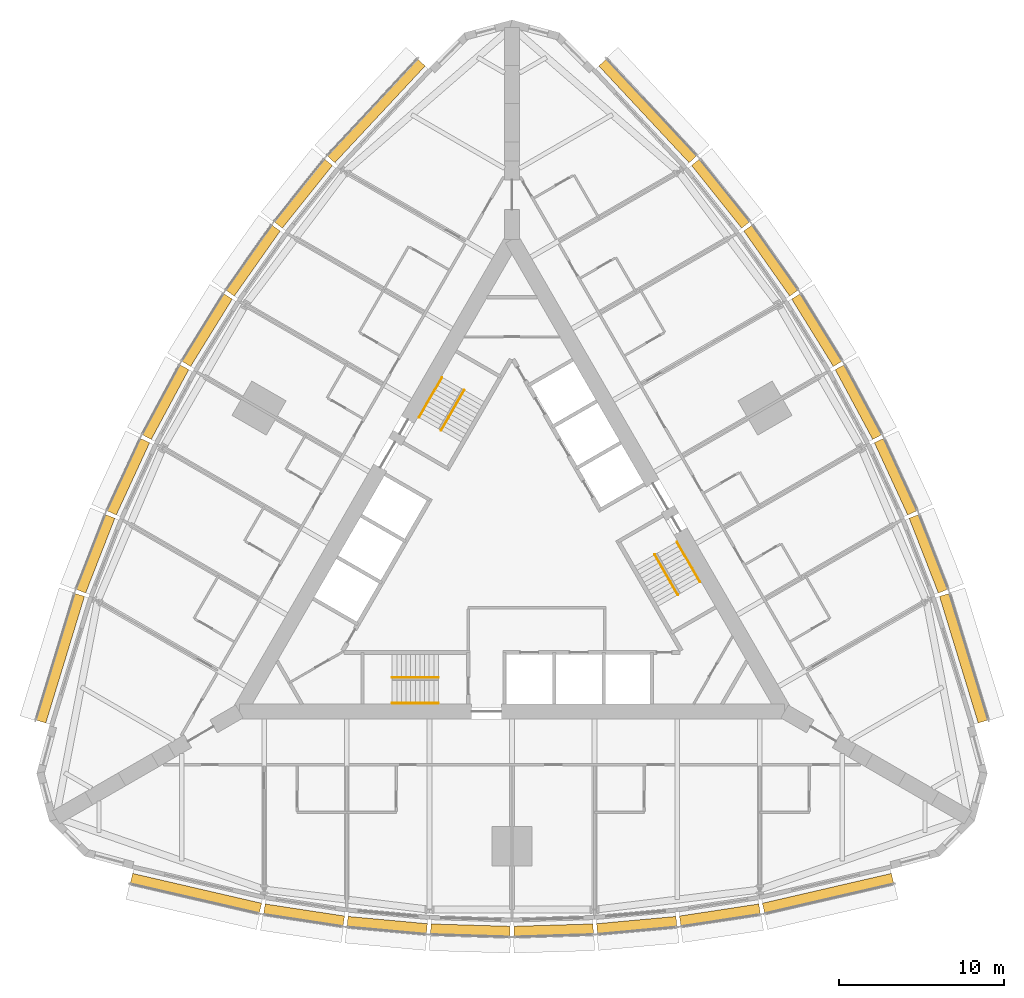
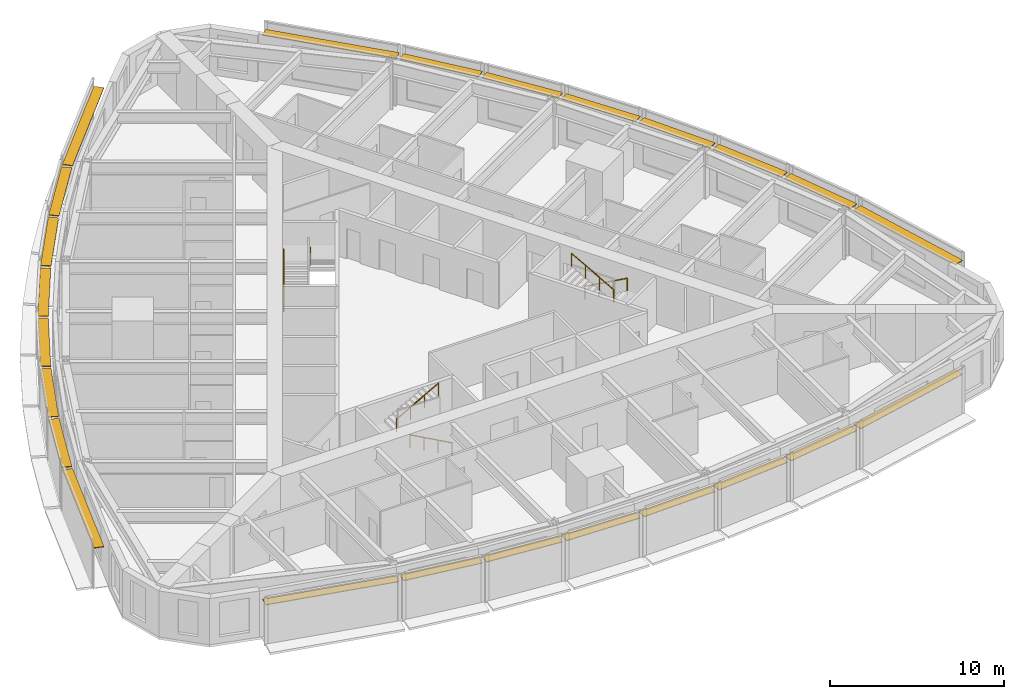
# One storey, part 14 of 14: 24 shading devices, 6 railings.
"""IFC4 building model written with IfcOpenShell, lengths in metres."""

from ifc_helpers import new_model, si_unit, direction, frame, origin, origin_2d, place, context, subcontext, project, spatial, rectangle, circle, extrude, material, type_object, element, save


model = new_model("IFC4")

# Units and contexts
model_context = context("Model", 3, precision=1e-05, world=origin(), true_north=direction((0.0, 1.0)))
body_context = subcontext(model_context, "Body", "Model", "MODEL_VIEW")
ifc_project = project(units=[si_unit("LENGTHUNIT", "METRE"), si_unit("AREAUNIT", "SQUARE_METRE"), si_unit("VOLUMEUNIT", "CUBIC_METRE"), si_unit("PLANEANGLEUNIT", "RADIAN"), si_unit("MASSUNIT", "GRAM", prefix="KILO")], contexts=[model_context])

# Site, building, storey
site_placement = place(None, origin())
site = spatial("IfcSite", under=ifc_project, at=site_placement, CompositionType="ELEMENT")
building_placement = place(site_placement, origin())
building = spatial("IfcBuilding", under=site, at=building_placement, Name="Trikona Tower", CompositionType="ELEMENT")
storey_placement = place(building_placement, frame((0.0, 0.0, 55.699951171875)))
storey = spatial("IfcBuildingStorey", under=building, at=storey_placement, Name="L13", CompositionType="ELEMENT", Elevation=55.699951171875)

# Shading devices
ifc_material_1 = material(Name="Aluminium louvre blade, pale anodised", Category="aluminium")
shading_device_type = type_object("IfcShadingDeviceType", Name="Cavity louvre 600", PredefinedType="USERDEFINED", material=ifc_material_1)
shading_device_1_placement = place(storey_placement, frame((-19.126220703125, -20.5234375, 2.77490234375), z_axis=(0.0, 0.0, 1.0), x_axis=(0.974277718622, -0.225350675607, 0.0)))
element("IfcShadingDevice", 1, at=shading_device_1_placement, inside=storey, type_object=shading_device_type, Name="Cavity louvre L13-00", ObjectType="LOUVRE", PredefinedType="USERDEFINED", context=body_context, shape_type="SweptSolid", body=[
    extrude(rectangle(XDim=8.01123046875, YDim=0.60009765625, at=origin_2d()), origin(), (0.0, 0.0, 1.0), 0.050048828125),
])
shading_device_2_placement = place(storey_placement, frame((-12.584228515625, -21.837158203125, 2.77490234375), z_axis=(0.0, 0.0, 1.0), x_axis=(0.988617896768, -0.150448177754, 0.0)))
element("IfcShadingDevice", 2, at=shading_device_2_placement, inside=storey, type_object=shading_device_type, Name="Cavity louvre L13-01", ObjectType="LOUVRE", PredefinedType="USERDEFINED", context=body_context, shape_type="SweptSolid", body=[
    extrude(rectangle(XDim=4.857666015625, YDim=0.60009765625, at=origin_2d()), origin(), (0.0, 0.0, 1.0), 0.050048828125),
])
shading_device_3_placement = place(storey_placement, frame((-7.55078125, -22.44970703125, 2.77490234375), z_axis=(0.0, 0.0, 1.0), x_axis=(0.995858098326, -0.090921108655, 0.0)))
element("IfcShadingDevice", 3, at=shading_device_3_placement, inside=storey, type_object=shading_device_type, Name="Cavity louvre L13-02", ObjectType="LOUVRE", PredefinedType="USERDEFINED", context=body_context, shape_type="SweptSolid", body=[
    extrude(rectangle(XDim=4.82080078125, YDim=0.60009765625, at=origin_2d()), origin(), (0.0, 0.0, 1.0), 0.050048828125),
])
for number, where, z_axis, x_axis, name in (
    (4, (-2.51708984375, -22.756103515625, 2.77490234375), (0.0, 0.0, 1.0), (0.999537048889, -0.030425119525, 0.0), "Cavity louvre L13-03"),
    (5, (2.51708984375, -22.756103515625, 2.77490234375), (0.0, 0.0, 1.0), (0.999537048889, 0.030425119525, 0.0), "Cavity louvre L13-04"),
):
    element("IfcShadingDevice", number, at=place(storey_placement, frame(where, z_axis=z_axis, x_axis=x_axis)), inside=storey, type_object=shading_device_type, Name=name, ObjectType="LOUVRE", PredefinedType="USERDEFINED", context=body_context, shape_type="SweptSolid", body=[
        extrude(rectangle(XDim=4.80224609375, YDim=0.60009765625, at=origin_2d()), origin(), (0.0, 0.0, 1.0), 0.050048828125),
    ])
shading_device_4_placement = place(storey_placement, frame((7.55078125, -22.44970703125, 2.77490234375), z_axis=(0.0, 0.0, 1.0), x_axis=(0.995858098326, 0.090921108655, 0.0)))
element("IfcShadingDevice", 6, at=shading_device_4_placement, inside=storey, type_object=shading_device_type, Name="Cavity louvre L13-05", ObjectType="LOUVRE", PredefinedType="USERDEFINED", context=body_context, shape_type="SweptSolid", body=[
    extrude(rectangle(XDim=4.82080078125, YDim=0.60009765625, at=origin_2d()), origin(), (0.0, 0.0, 1.0), 0.050048828125),
])
shading_device_5_placement = place(storey_placement, frame((12.584228515625, -21.837158203125, 2.77490234375), z_axis=(0.0, 0.0, 1.0), x_axis=(0.988617896768, 0.150448177754, 0.0)))
element("IfcShadingDevice", 7, at=shading_device_5_placement, inside=storey, type_object=shading_device_type, Name="Cavity louvre L13-06", ObjectType="LOUVRE", PredefinedType="USERDEFINED", context=body_context, shape_type="SweptSolid", body=[
    extrude(rectangle(XDim=4.857666015625, YDim=0.60009765625, at=origin_2d()), origin(), (0.0, 0.0, 1.0), 0.050048828125),
])
for number, where, z_axis, x_axis, name in (
    (8, (19.126220703125, -20.5234375, 2.77490234375), (0.0, 0.0, 1.0), (0.974277718622, 0.225350675607, 0.0), "Cavity louvre L13-07"),
    (9, (27.3369140625, -6.302001953125, 2.77490234375), (0.0, 0.0, 1.0), (-0.291979449475, 0.956424592471, 0.0), "Cavity louvre L13-12"),
):
    element("IfcShadingDevice", number, at=place(storey_placement, frame(where, z_axis=z_axis, x_axis=x_axis)), inside=storey, type_object=shading_device_type, Name=name, ObjectType="LOUVRE", PredefinedType="USERDEFINED", context=body_context, shape_type="SweptSolid", body=[
        extrude(rectangle(XDim=8.01123046875, YDim=0.60009765625, at=origin_2d()), origin(), (0.0, 0.0, 1.0), 0.050048828125),
    ])
shading_device_6_placement = place(storey_placement, frame((25.20361328125, 0.020263671875, 2.77490234375), z_axis=(0.0, 0.0, 1.0), x_axis=(-0.364008876551, 0.931395478726, 0.0)))
element("IfcShadingDevice", 10, at=shading_device_6_placement, inside=storey, type_object=shading_device_type, Name="Cavity louvre L13-13", ObjectType="LOUVRE", PredefinedType="USERDEFINED", context=body_context, shape_type="SweptSolid", body=[
    extrude(rectangle(XDim=4.857666015625, YDim=0.60009765625, at=origin_2d()), origin(), (0.0, 0.0, 1.0), 0.050048828125),
])
shading_device_7_placement = place(storey_placement, frame((23.217529296875, 4.685546875, 2.77490234375), z_axis=(0.0, 0.0, 1.0), x_axis=(-0.41919381307, 0.907896771161, 0.0)))
element("IfcShadingDevice", 11, at=shading_device_7_placement, inside=storey, type_object=shading_device_type, Name="Cavity louvre L13-14", ObjectType="LOUVRE", PredefinedType="USERDEFINED", context=body_context, shape_type="SweptSolid", body=[
    extrude(rectangle(XDim=4.82080078125, YDim=0.60009765625, at=origin_2d()), origin(), (0.0, 0.0, 1.0), 0.050048828125),
])
for number, where, z_axis, x_axis, name in (
    (12, (20.966064453125, 9.1982421875, 2.77490234375), (0.0, 0.0, 1.0), (-0.473422672721, 0.880835383572, 0.0), "Cavity louvre L13-15"),
    (13, (18.448974609375, 13.557861328125, 2.77490234375), (0.0, 0.0, 1.0), (-0.526118935114, 0.85041099835, 0.0), "Cavity louvre L13-16"),
):
    element("IfcShadingDevice", number, at=place(storey_placement, frame(where, z_axis=z_axis, x_axis=x_axis)), inside=storey, type_object=shading_device_type, Name=name, ObjectType="LOUVRE", PredefinedType="USERDEFINED", context=body_context, shape_type="SweptSolid", body=[
        extrude(rectangle(XDim=4.80224609375, YDim=0.60009765625, at=origin_2d()), origin(), (0.0, 0.0, 1.0), 0.050048828125),
    ])
shading_device_8_placement = place(storey_placement, frame((15.666748046875, 17.76416015625, 2.77490234375), z_axis=(0.0, 0.0, 1.0), x_axis=(-0.576661909499, 0.816982889743, 0.0)))
element("IfcShadingDevice", 14, at=shading_device_8_placement, inside=storey, type_object=shading_device_type, Name="Cavity louvre L13-17", ObjectType="LOUVRE", PredefinedType="USERDEFINED", context=body_context, shape_type="SweptSolid", body=[
    extrude(rectangle(XDim=4.82080078125, YDim=0.60009765625, at=origin_2d()), origin(), (0.0, 0.0, 1.0), 0.050048828125),
])
shading_device_9_placement = place(storey_placement, frame((12.619384765625, 21.81689453125, 2.77490234375), z_axis=(0.0, 0.0, 1.0), x_axis=(-0.624603618277, 0.780941944087, 0.0)))
element("IfcShadingDevice", 15, at=shading_device_9_placement, inside=storey, type_object=shading_device_type, Name="Cavity louvre L13-18", ObjectType="LOUVRE", PredefinedType="USERDEFINED", context=body_context, shape_type="SweptSolid", body=[
    extrude(rectangle(XDim=4.857666015625, YDim=0.60009765625, at=origin_2d()), origin(), (0.0, 0.0, 1.0), 0.050048828125),
])
for number, where, z_axis, x_axis, name in (
    (16, (8.210693359375, 26.825439453125, 2.77490234375), (0.0, 0.0, 1.0), (-0.682298269147, 0.731073916864, 0.0), "Cavity louvre L13-19"),
    (17, (-8.210693359375, 26.825439453125, 2.77490234375), (0.0, 0.0, 1.0), (-0.682298269147, -0.731073916864, 0.0), "Cavity louvre L13-24"),
):
    element("IfcShadingDevice", number, at=place(storey_placement, frame(where, z_axis=z_axis, x_axis=x_axis)), inside=storey, type_object=shading_device_type, Name=name, ObjectType="LOUVRE", PredefinedType="USERDEFINED", context=body_context, shape_type="SweptSolid", body=[
        extrude(rectangle(XDim=8.01123046875, YDim=0.60009765625, at=origin_2d()), origin(), (0.0, 0.0, 1.0), 0.050048828125),
    ])
shading_device_10_placement = place(storey_placement, frame((-12.619384765625, 21.81689453125, 2.77490234375), z_axis=(0.0, 0.0, 1.0), x_axis=(-0.624603618277, -0.780941944087, 0.0)))
element("IfcShadingDevice", 18, at=shading_device_10_placement, inside=storey, type_object=shading_device_type, Name="Cavity louvre L13-25", ObjectType="LOUVRE", PredefinedType="USERDEFINED", context=body_context, shape_type="SweptSolid", body=[
    extrude(rectangle(XDim=4.857666015625, YDim=0.60009765625, at=origin_2d()), origin(), (0.0, 0.0, 1.0), 0.050048828125),
])
shading_device_11_placement = place(storey_placement, frame((-15.666748046875, 17.76416015625, 2.77490234375), z_axis=(0.0, 0.0, 1.0), x_axis=(-0.576661909499, -0.816982889743, 0.0)))
element("IfcShadingDevice", 19, at=shading_device_11_placement, inside=storey, type_object=shading_device_type, Name="Cavity louvre L13-26", ObjectType="LOUVRE", PredefinedType="USERDEFINED", context=body_context, shape_type="SweptSolid", body=[
    extrude(rectangle(XDim=4.82080078125, YDim=0.60009765625, at=origin_2d()), origin(), (0.0, 0.0, 1.0), 0.050048828125),
])
for number, where, z_axis, x_axis, name in (
    (20, (-18.448974609375, 13.557861328125, 2.77490234375), (0.0, 0.0, 1.0), (-0.526118935114, -0.85041099835, 0.0), "Cavity louvre L13-27"),
    (21, (-20.966064453125, 9.1982421875, 2.77490234375), (0.0, 0.0, 1.0), (-0.473422672721, -0.880835383572, 0.0), "Cavity louvre L13-28"),
):
    element("IfcShadingDevice", number, at=place(storey_placement, frame(where, z_axis=z_axis, x_axis=x_axis)), inside=storey, type_object=shading_device_type, Name=name, ObjectType="LOUVRE", PredefinedType="USERDEFINED", context=body_context, shape_type="SweptSolid", body=[
        extrude(rectangle(XDim=4.80224609375, YDim=0.60009765625, at=origin_2d()), origin(), (0.0, 0.0, 1.0), 0.050048828125),
    ])
shading_device_12_placement = place(storey_placement, frame((-23.217529296875, 4.685546875, 2.77490234375), z_axis=(0.0, 0.0, 1.0), x_axis=(-0.41919381307, -0.907896771161, 0.0)))
element("IfcShadingDevice", 22, at=shading_device_12_placement, inside=storey, type_object=shading_device_type, Name="Cavity louvre L13-29", ObjectType="LOUVRE", PredefinedType="USERDEFINED", context=body_context, shape_type="SweptSolid", body=[
    extrude(rectangle(XDim=4.82080078125, YDim=0.60009765625, at=origin_2d()), origin(), (0.0, 0.0, 1.0), 0.050048828125),
])
shading_device_13_placement = place(storey_placement, frame((-25.20361328125, 0.020263671875, 2.77490234375), z_axis=(0.0, 0.0, 1.0), x_axis=(-0.364008876551, -0.931395478726, 0.0)))
element("IfcShadingDevice", 23, at=shading_device_13_placement, inside=storey, type_object=shading_device_type, Name="Cavity louvre L13-30", ObjectType="LOUVRE", PredefinedType="USERDEFINED", context=body_context, shape_type="SweptSolid", body=[
    extrude(rectangle(XDim=4.857666015625, YDim=0.60009765625, at=origin_2d()), origin(), (0.0, 0.0, 1.0), 0.050048828125),
])
shading_device_14_placement = place(storey_placement, frame((-27.3369140625, -6.302001953125, 2.77490234375), z_axis=(0.0, 0.0, 1.0), x_axis=(-0.291979449475, -0.956424592471, 0.0)))
element("IfcShadingDevice", 24, at=shading_device_14_placement, inside=storey, type_object=shading_device_type, Name="Cavity louvre L13-31", ObjectType="LOUVRE", PredefinedType="USERDEFINED", context=body_context, shape_type="SweptSolid", body=[
    extrude(rectangle(XDim=8.01123046875, YDim=0.60009765625, at=origin_2d()), origin(), (0.0, 0.0, 1.0), 0.050048828125),
])

# Railings
ifc_material_2 = material(Name="Stainless steel handrail", Category="steel")
railing_type = type_object("IfcRailingType", Name="Stair handrail", PredefinedType="HANDRAIL", material=ifc_material_2)
railing_1_placement = place(storey_placement, frame((-4.449951171875, -9.016357421875, 0.154541015625)))
element("IfcRailing", 25, at=railing_1_placement, inside=storey, type_object=railing_type, Name="Stair handrail A L13 1", PredefinedType="HANDRAIL", context=body_context, shape_type="SweptSolid", body=[
    extrude(circle(Radius=0.02392578125, at=origin_2d()), frame((0.0, 0.0, 0.8759765625), z_axis=(-0.875504190374, 0.0, 0.483210526207), x_axis=(0.0, -1.0, 0.0)), (0.0, 0.0, 1.0), 3.1982421875),
    extrude(circle(Radius=0.02099609375, at=origin_2d()), origin(), (0.0, 0.0, 1.0), 0.851806640625),
    extrude(circle(Radius=0.02099609375, at=origin_2d()), frame((-0.933349609375, 0.0, 0.51513671875)), (0.0, 0.0, 1.0), 0.851806640625),
    extrude(circle(Radius=0.02099609375, at=origin_2d()), frame((-1.86669921875, 0.0, 1.0302734375)), (0.0, 0.0, 1.0), 0.851806640625),
    extrude(circle(Radius=0.02099609375, at=origin_2d()), frame((-2.800048828125, 0.0, 1.54541015625)), (0.0, 0.0, 1.0), 0.851806640625),
])
railing_2_placement = place(storey_placement, frame((-7.25, -7.46630859375, 1.8544921875)))
element("IfcRailing", 26, at=railing_2_placement, inside=storey, type_object=railing_type, Name="Stair handrail A L13 2", PredefinedType="HANDRAIL", context=body_context, shape_type="SweptSolid", body=[
    extrude(circle(Radius=0.02392578125, at=origin_2d()), frame((0.0, 0.0, 0.8759765625), z_axis=(0.875471895205, 0.0, 0.483269035534), x_axis=(0.0, 1.0, 0.0)), (0.0, 0.0, 1.0), 3.1982421875),
    extrude(circle(Radius=0.02099609375, at=origin_2d()), origin(), (0.0, 0.0, 1.0), 0.851806640625),
    extrude(circle(Radius=0.02099609375, at=origin_2d()), frame((0.933349609375, 0.0, 0.51513671875)), (0.0, 0.0, 1.0), 0.851806640625),
    extrude(circle(Radius=0.02099609375, at=origin_2d()), frame((1.86669921875, 0.0, 1.030517578125)), (0.0, 0.0, 1.0), 0.851806640625),
    extrude(circle(Radius=0.02099609375, at=origin_2d()), frame((2.800048828125, 0.0, 1.545654296875)), (0.0, 0.0, 1.0), 0.851806640625),
])
railing_3_placement = place(storey_placement, frame((9.9833984375, 0.740966796875, 0.154541015625)))
element("IfcRailing", 27, at=railing_3_placement, inside=storey, type_object=railing_type, Name="Stair handrail B L13 1", PredefinedType="HANDRAIL", context=body_context, shape_type="SweptSolid", body=[
    extrude(circle(Radius=0.02392578125, at=origin_2d()), frame((0.0, 0.0, 0.8759765625), z_axis=(0.437707188162, -0.758239536103, 0.483203087036), x_axis=(0.866056369097, 0.49994636267, 0.0)), (0.0, 0.0, 1.0), 3.1982421875),
    extrude(circle(Radius=0.02099609375, at=origin_2d()), origin(), (0.0, 0.0, 1.0), 0.851806640625),
    extrude(circle(Radius=0.02099609375, at=origin_2d()), frame((0.466552734375, -0.808349609375, 0.51513671875)), (0.0, 0.0, 1.0), 0.851806640625),
    extrude(circle(Radius=0.02099609375, at=origin_2d()), frame((0.933349609375, -1.61669921875, 1.0302734375)), (0.0, 0.0, 1.0), 0.851806640625),
    extrude(circle(Radius=0.02099609375, at=origin_2d()), frame((1.39990234375, -2.425048828125, 1.54541015625)), (0.0, 0.0, 1.0), 0.851806640625),
])
railing_4_placement = place(storey_placement, frame((10.041015625, -2.458984375, 1.8544921875)))
element("IfcRailing", 28, at=railing_4_placement, inside=storey, type_object=railing_type, Name="Stair handrail B L13 2", PredefinedType="HANDRAIL", context=body_context, shape_type="SweptSolid", body=[
    extrude(circle(Radius=0.02392578125, at=origin_2d()), frame((0.0, 0.0, 0.8759765625), z_axis=(-0.437691042731, 0.758211567396, 0.483261596012), x_axis=(-0.866056369097, -0.49994636267, 0.0)), (0.0, 0.0, 1.0), 3.198486328125),
    extrude(circle(Radius=0.02099609375, at=origin_2d()), origin(), (0.0, 0.0, 1.0), 0.851806640625),
    extrude(circle(Radius=0.02099609375, at=origin_2d()), frame((-0.466552734375, 0.808349609375, 0.51513671875)), (0.0, 0.0, 1.0), 0.851806640625),
    extrude(circle(Radius=0.02099609375, at=origin_2d()), frame((-0.933349609375, 1.61669921875, 1.030517578125)), (0.0, 0.0, 1.0), 0.851806640625),
    extrude(circle(Radius=0.02099609375, at=origin_2d()), frame((-1.39990234375, 2.425048828125, 1.545654296875)), (0.0, 0.0, 1.0), 0.851806640625),
])
railing_5_placement = place(storey_placement, frame((-5.63330078125, 8.275390625, 0.154541015625)))
element("IfcRailing", 29, at=railing_5_placement, inside=storey, type_object=railing_type, Name="Stair handrail C L13 1", PredefinedType="HANDRAIL", context=body_context, shape_type="SweptSolid", body=[
    extrude(circle(Radius=0.02392578125, at=origin_2d()), frame((0.0, 0.0, 0.8759765625), z_axis=(0.437732523806, 0.758207085183, 0.483231056102), x_axis=(-0.866034573852, 0.49998411664, 0.0)), (0.0, 0.0, 1.0), 3.197998046875),
    extrude(circle(Radius=0.02099609375, at=origin_2d()), origin(), (0.0, 0.0, 1.0), 0.851806640625),
    extrude(circle(Radius=0.02099609375, at=origin_2d()), frame((0.466552734375, 0.808349609375, 0.51513671875)), (0.0, 0.0, 1.0), 0.851806640625),
    extrude(circle(Radius=0.02099609375, at=origin_2d()), frame((0.933349609375, 1.616455078125, 1.0302734375)), (0.0, 0.0, 1.0), 0.851806640625),
    extrude(circle(Radius=0.02099609375, at=origin_2d()), frame((1.39990234375, 2.4248046875, 1.54541015625)), (0.0, 0.0, 1.0), 0.851806640625),
])
railing_6_placement = place(storey_placement, frame((-2.89111328125, 9.92529296875, 1.8544921875)))
element("IfcRailing", 30, at=railing_6_placement, inside=storey, type_object=railing_type, Name="Stair handrail C L13 2", PredefinedType="HANDRAIL", context=body_context, shape_type="SweptSolid", body=[
    extrude(circle(Radius=0.02392578125, at=origin_2d()), frame((0.0, 0.0, 0.8759765625), z_axis=(-0.437691042731, -0.758211567396, 0.483261596012), x_axis=(0.866056369097, -0.49994636267, 0.0)), (0.0, 0.0, 1.0), 3.198486328125),
    extrude(circle(Radius=0.02099609375, at=origin_2d()), origin(), (0.0, 0.0, 1.0), 0.851806640625),
    extrude(circle(Radius=0.02099609375, at=origin_2d()), frame((-0.466552734375, -0.808349609375, 0.51513671875)), (0.0, 0.0, 1.0), 0.851806640625),
    extrude(circle(Radius=0.02099609375, at=origin_2d()), frame((-0.933349609375, -1.61669921875, 1.030517578125)), (0.0, 0.0, 1.0), 0.851806640625),
    extrude(circle(Radius=0.02099609375, at=origin_2d()), frame((-1.39990234375, -2.425048828125, 1.545654296875)), (0.0, 0.0, 1.0), 0.851806640625),
])

save(model, "model.ifc")
